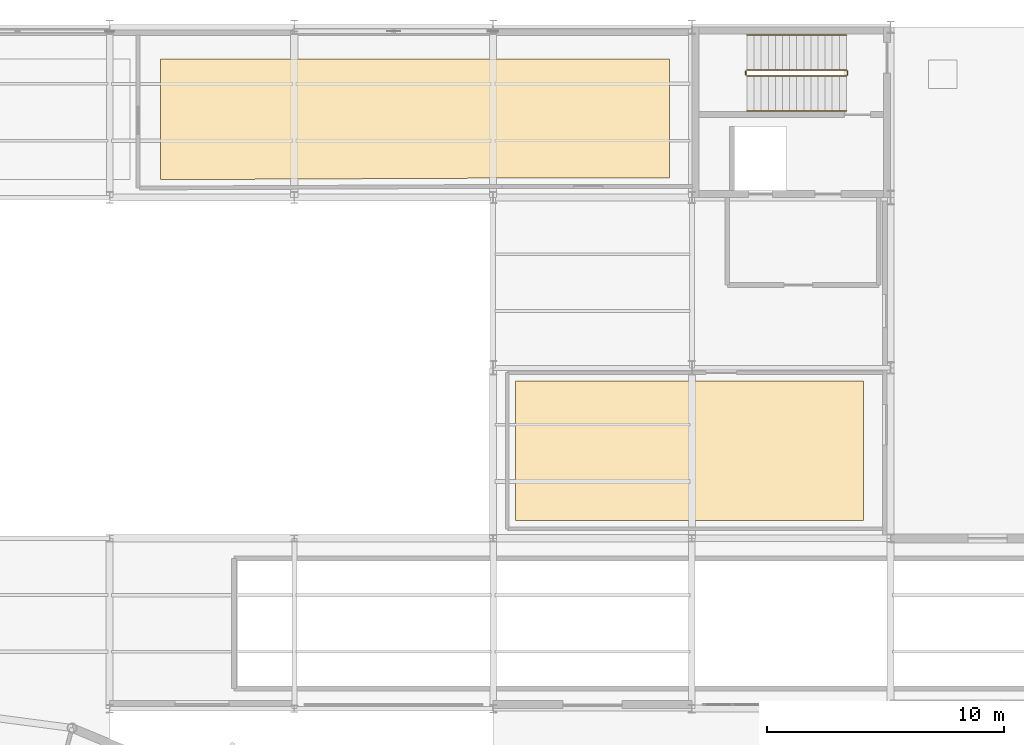
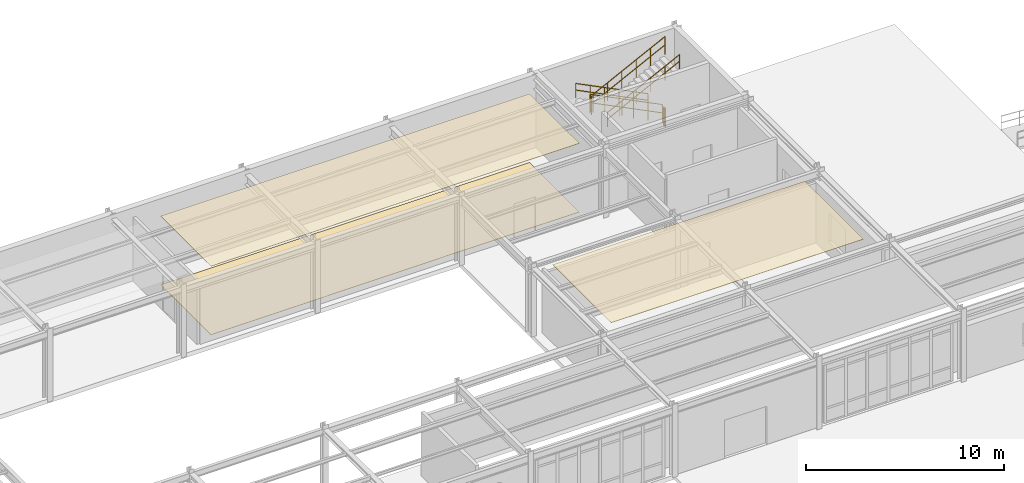
# One storey, part 98 of 101: 6 railings, 3 coverings.
"""IFC4 building model written with IfcOpenShell, lengths in metres."""

from ifc_helpers import new_model, si_unit, derived_unit, direction, frame, origin, origin_2d, place, context, subcontext, project, spatial, polyline, circle, outline, extrude, material, layer, layer_set, type_object, element, save


model = new_model("IFC4")

# Units and contexts
model_context = context("Model", 3, precision=1e-05, world=origin(), true_north=direction((0.0, 1.0)))
body_context = subcontext(model_context, "Body", "Model", "MODEL_VIEW")
ifc_project = project(units=[si_unit("LENGTHUNIT", "METRE"), si_unit("AREAUNIT", "SQUARE_METRE"), si_unit("VOLUMEUNIT", "CUBIC_METRE"), si_unit("PLANEANGLEUNIT", "RADIAN"), si_unit("MASSUNIT", "GRAM", prefix="KILO"), derived_unit("THERMALTRANSMITTANCEUNIT", [(si_unit("POWERUNIT", "WATT"), 1), (si_unit("AREAUNIT", "SQUARE_METRE"), -1), (si_unit("THERMODYNAMICTEMPERATUREUNIT", "KELVIN"), -1)])], contexts=[model_context])

# Site, building, storey
site_placement = place(None, origin())
site = spatial("IfcSite", under=ifc_project, at=site_placement, CompositionType="ELEMENT")
building_placement = place(site_placement, origin())
building = spatial("IfcBuilding", under=site, at=building_placement, Name="Yasenodar Specialist Clinic", CompositionType="ELEMENT")
storey_placement = place(building_placement, origin())
storey = spatial("IfcBuildingStorey", under=building, at=storey_placement, Name="L00", CompositionType="ELEMENT", Elevation=0.0)

# Coverings
ifc_material_1 = material(Name="Hygienic Acoustic Mineral-Fibre Ceiling")
ifc_layer_1 = layer(ifc_material_1, 0.02490234375)
ifc_layer_set_1 = layer_set([ifc_layer_1], Name="Hygienic Acoustic Mineral-Fibre Ceiling")
covering_type_1 = type_object("IfcCoveringType", Name="COV-CEIL-AC", PredefinedType="CEILING", material=ifc_layer_set_1)
covering_1_placement = place(storey_placement, frame((0.0, 0.0, 4.22509765625)))
element("IfcCovering", 1, at=covering_1_placement, inside=storey, type_object=covering_type_1, Name="L00 Medical Archive and Records Store Acoustic Ceiling", PredefinedType="CEILING", context=body_context, shape_type="SweptSolid", body=[
    extrude(outline(polyline([(112.449951171875, 110.25), (112.449951171875, 105.219970703125), (105.3798828125, 105.219970703125), (105.3779296875, 105.219970703125), (90.949951171875, 105.152099609375), (90.949951171875, 110.25), (112.449951171875, 110.25)])), origin(), (0.0, 0.0, 1.0), 0.02490234375),
])
covering_2_placement = place(storey_placement, frame((0.0, 0.0, 4.22509765625)))
element("IfcCovering", 2, at=covering_2_placement, inside=storey, type_object=covering_type_1, Name="L00 Laboratory Specimen Receiving Suite Acoustic Ceiling", PredefinedType="CEILING", context=body_context, shape_type="SweptSolid", body=[
    extrude(outline(polyline([(120.64990234375, 90.75), (105.949951171875, 90.75), (105.949951171875, 96.64990234375), (120.64990234375, 96.64990234375), (120.64990234375, 90.75)])), origin(), (0.0, 0.0, 1.0), 0.02490234375),
])
ifc_material_2 = material(Name="Seamless Epoxy Terrazzo Clinical Flooring")
ifc_layer_2 = layer(ifc_material_2, 0.02001953125)
ifc_layer_set_2 = layer_set([ifc_layer_2], Name="Seamless Epoxy Terrazzo Clinical Flooring")
covering_type_2 = type_object("IfcCoveringType", Name="COV-FLR-TERR", PredefinedType="FLOORING", material=ifc_layer_set_2)
covering_3_placement = place(storey_placement, origin())
element("IfcCovering", 3, at=covering_3_placement, inside=storey, type_object=covering_type_2, Name="L00 Medical Archive and Records Store Terrazzo Flooring", PredefinedType="FLOORING", context=body_context, shape_type="SweptSolid", body=[
    extrude(outline(polyline([(112.449951171875, 110.25), (112.449951171875, 105.219970703125), (105.3798828125, 105.219970703125), (105.3779296875, 105.219970703125), (90.949951171875, 105.152099609375), (90.949951171875, 110.25), (112.449951171875, 110.25)])), origin(), (0.0, 0.0, 1.0), 0.02001953125),
])

# Railings
ifc_material_3 = material(Name="Steel S355 Painted Stair Guardrail", Category="steel")
railing_type_1 = type_object("IfcRailingType", Name="RL-ST-GRD", PredefinedType="GUARDRAIL", material=ifc_material_3)
railing_1_placement = place(storey_placement, frame((119.929931640625, 109.7900390625, 0.14990234375)))
element("IfcRailing", 4, at=railing_1_placement, inside=storey, type_object=railing_type_1, Name="L00 ST-05 stair guard 1", PredefinedType="GUARDRAIL", context=body_context, shape_type="SweptSolid", body=[
    extrude(circle(Radius=0.02392578125, at=origin_2d()), frame((0.0, 0.0, 1.09619140625), z_axis=(-0.894416792377, 0.0, 0.447234392142), x_axis=(0.0, -1.0, 0.0)), (0.0, 0.0, 1.0), 4.69580078125),
    extrude(circle(Radius=0.02392578125, at=origin_2d()), frame((0.0, 0.0, 0.58251953125), z_axis=(-0.894416792377, 0.0, 0.447234392142), x_axis=(0.0, -1.0, 0.0)), (0.0, 0.0, 1.0), 4.69580078125),
    extrude(circle(Radius=0.02099609375, at=origin_2d()), origin(), (0.0, 0.0, 1.0), 1.072021484375),
    extrude(circle(Radius=0.02099609375, at=origin_2d()), frame((-0.840087890625, 0.0, 0.419921875)), (0.0, 0.0, 1.0), 1.072021484375),
    extrude(circle(Radius=0.02099609375, at=origin_2d()), frame((-1.679931640625, 0.0, 0.840087890625)), (0.0, 0.0, 1.0), 1.072021484375),
    extrude(circle(Radius=0.02099609375, at=origin_2d()), frame((-2.52001953125, 0.0, 1.260009765625)), (0.0, 0.0, 1.0), 1.072021484375),
    extrude(circle(Radius=0.02099609375, at=origin_2d()), frame((-3.35986328125, 0.0, 1.68017578125)), (0.0, 0.0, 1.0), 1.072021484375),
    extrude(circle(Radius=0.02099609375, at=origin_2d()), frame((-4.199951171875, 0.0, 2.10009765625)), (0.0, 0.0, 1.0), 1.072021484375),
])
railing_2_placement = place(storey_placement, frame((115.679931640625, 109.739990234375, 2.25)))
element("IfcRailing", 5, at=railing_2_placement, inside=storey, type_object=railing_type_1, Name="L00 ST-05 stair guard 2", PredefinedType="GUARDRAIL", context=body_context, shape_type="SweptSolid", body=[
    extrude(circle(Radius=0.02392578125, at=origin_2d()), frame((0.0, 0.0, 1.09619140625), z_axis=(0.0, -1.0, 0.0), x_axis=(1.0, 0.0, 0.0)), (0.0, 0.0, 1.0), 0.159912109375),
    extrude(circle(Radius=0.02392578125, at=origin_2d()), frame((0.0, 0.0, 0.58251953125), z_axis=(0.0, -1.0, 0.0), x_axis=(1.0, 0.0, 0.0)), (0.0, 0.0, 1.0), 0.159912109375),
    extrude(circle(Radius=0.02099609375, at=origin_2d()), origin(), (0.0, 0.0, 1.0), 1.072021484375),
    extrude(circle(Radius=0.02099609375, at=origin_2d()), frame((0.0, -0.159912109375, 0.0)), (0.0, 0.0, 1.0), 1.072021484375),
])
railing_3_placement = place(storey_placement, frame((115.72998046875, 109.530029296875, 2.39990234375)))
element("IfcRailing", 6, at=railing_3_placement, inside=storey, type_object=railing_type_1, Name="L00 ST-05 stair guard 3", PredefinedType="GUARDRAIL", context=body_context, shape_type="SweptSolid", body=[
    extrude(circle(Radius=0.02392578125, at=origin_2d()), frame((0.0, 0.0, 1.09619140625), z_axis=(0.894416792377, 0.0, 0.447234392142), x_axis=(0.0, 1.0, 0.0)), (0.0, 0.0, 1.0), 4.69580078125),
    extrude(circle(Radius=0.02392578125, at=origin_2d()), frame((0.0, 0.0, 0.58251953125), z_axis=(0.894416792377, 0.0, 0.447234392142), x_axis=(0.0, 1.0, 0.0)), (0.0, 0.0, 1.0), 4.69580078125),
    extrude(circle(Radius=0.02099609375, at=origin_2d()), origin(), (0.0, 0.0, 1.0), 1.072021484375),
    extrude(circle(Radius=0.02099609375, at=origin_2d()), frame((0.840087890625, 0.0, 0.419921875)), (0.0, 0.0, 1.0), 1.072021484375),
    extrude(circle(Radius=0.02099609375, at=origin_2d()), frame((1.679931640625, 0.0, 0.840087890625)), (0.0, 0.0, 1.0), 1.072021484375),
    extrude(circle(Radius=0.02099609375, at=origin_2d()), frame((2.52001953125, 0.0, 1.260009765625)), (0.0, 0.0, 1.0), 1.072021484375),
    extrude(circle(Radius=0.02099609375, at=origin_2d()), frame((3.35986328125, 0.0, 1.68017578125)), (0.0, 0.0, 1.0), 1.072021484375),
    extrude(circle(Radius=0.02099609375, at=origin_2d()), frame((4.199951171875, 0.0, 2.10009765625)), (0.0, 0.0, 1.0), 1.072021484375),
])
railing_4_placement = place(storey_placement, frame((119.97998046875, 109.739990234375, 0.0)))
element("IfcRailing", 7, at=railing_4_placement, inside=storey, type_object=railing_type_1, Name="L00 ST-05 stair guard 4", PredefinedType="GUARDRAIL", context=body_context, shape_type="SweptSolid", body=[
    extrude(circle(Radius=0.02392578125, at=origin_2d()), frame((0.0, 0.0, 1.09619140625), z_axis=(0.0, -1.0, 0.0), x_axis=(1.0, 0.0, 0.0)), (0.0, 0.0, 1.0), 0.159912109375),
    extrude(circle(Radius=0.02392578125, at=origin_2d()), frame((0.0, 0.0, 0.58251953125), z_axis=(0.0, -1.0, 0.0), x_axis=(1.0, 0.0, 0.0)), (0.0, 0.0, 1.0), 0.159912109375),
    extrude(circle(Radius=0.02099609375, at=origin_2d()), origin(), (0.0, 0.0, 1.0), 1.072021484375),
    extrude(circle(Radius=0.02099609375, at=origin_2d()), frame((0.0, -0.159912109375, 0.0)), (0.0, 0.0, 1.0), 1.072021484375),
])
ifc_material_4 = material(Name="Brushed Stainless Steel Handrail", Category="steel")
railing_type_2 = type_object("IfcRailingType", Name="RL-ST-HND", PredefinedType="HANDRAIL", material=ifc_material_4)
railing_5_placement = place(storey_placement, frame((119.929931640625, 111.260009765625, 0.14990234375)))
element("IfcRailing", 8, at=railing_5_placement, inside=storey, type_object=railing_type_2, Name="L00 ST-05 stair handrail 1", PredefinedType="HANDRAIL", context=body_context, shape_type="SweptSolid", body=[
    extrude(circle(Radius=0.02392578125, at=origin_2d()), frame((0.0, 0.0, 0.8759765625), z_axis=(-0.894416792377, 0.0, 0.447234392142), x_axis=(0.0, -1.0, 0.0)), (0.0, 0.0, 1.0), 4.69580078125),
    extrude(circle(Radius=0.02392578125, at=origin_2d()), frame((0.0, 0.0, 0.468017578125), z_axis=(-0.894416792377, 0.0, 0.447234392142), x_axis=(0.0, -1.0, 0.0)), (0.0, 0.0, 1.0), 4.69580078125),
    extrude(circle(Radius=0.02099609375, at=origin_2d()), origin(), (0.0, 0.0, 1.0), 0.851806640625),
    extrude(circle(Radius=0.02099609375, at=origin_2d()), frame((-0.840087890625, 0.0, 0.419921875)), (0.0, 0.0, 1.0), 0.851806640625),
    extrude(circle(Radius=0.02099609375, at=origin_2d()), frame((-1.679931640625, 0.0, 0.840087890625)), (0.0, 0.0, 1.0), 0.851806640625),
    extrude(circle(Radius=0.02099609375, at=origin_2d()), frame((-2.52001953125, 0.0, 1.260009765625)), (0.0, 0.0, 1.0), 0.851806640625),
    extrude(circle(Radius=0.02099609375, at=origin_2d()), frame((-3.35986328125, 0.0, 1.68017578125)), (0.0, 0.0, 1.0), 0.851806640625),
    extrude(circle(Radius=0.02099609375, at=origin_2d()), frame((-4.199951171875, 0.0, 2.10009765625)), (0.0, 0.0, 1.0), 0.851806640625),
])
railing_6_placement = place(storey_placement, frame((115.72998046875, 108.06005859375, 2.39990234375)))
element("IfcRailing", 9, at=railing_6_placement, inside=storey, type_object=railing_type_2, Name="L00 ST-05 stair handrail 2", PredefinedType="HANDRAIL", context=body_context, shape_type="SweptSolid", body=[
    extrude(circle(Radius=0.02392578125, at=origin_2d()), frame((0.0, 0.0, 0.8759765625), z_axis=(0.894416792377, 0.0, 0.447234392142), x_axis=(0.0, 1.0, 0.0)), (0.0, 0.0, 1.0), 4.69580078125),
    extrude(circle(Radius=0.02392578125, at=origin_2d()), frame((0.0, 0.0, 0.468017578125), z_axis=(0.894416792377, 0.0, 0.447234392142), x_axis=(0.0, 1.0, 0.0)), (0.0, 0.0, 1.0), 4.69580078125),
    extrude(circle(Radius=0.02099609375, at=origin_2d()), origin(), (0.0, 0.0, 1.0), 0.851806640625),
    extrude(circle(Radius=0.02099609375, at=origin_2d()), frame((0.840087890625, 0.0, 0.419921875)), (0.0, 0.0, 1.0), 0.851806640625),
    extrude(circle(Radius=0.02099609375, at=origin_2d()), frame((1.679931640625, 0.0, 0.840087890625)), (0.0, 0.0, 1.0), 0.851806640625),
    extrude(circle(Radius=0.02099609375, at=origin_2d()), frame((2.52001953125, 0.0, 1.260009765625)), (0.0, 0.0, 1.0), 0.851806640625),
    extrude(circle(Radius=0.02099609375, at=origin_2d()), frame((3.35986328125, 0.0, 1.68017578125)), (0.0, 0.0, 1.0), 0.851806640625),
    extrude(circle(Radius=0.02099609375, at=origin_2d()), frame((4.199951171875, 0.0, 2.10009765625)), (0.0, 0.0, 1.0), 0.851806640625),
])

save(model, "model.ifc")
